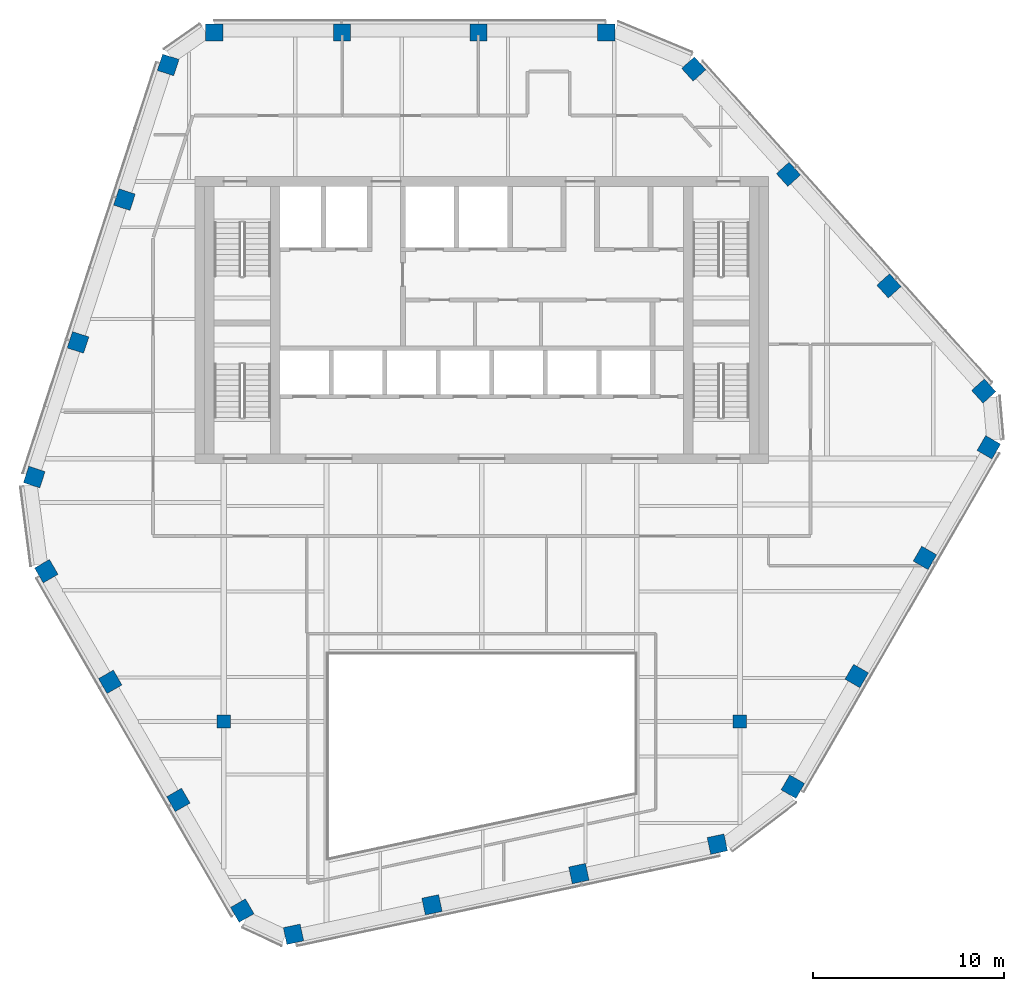
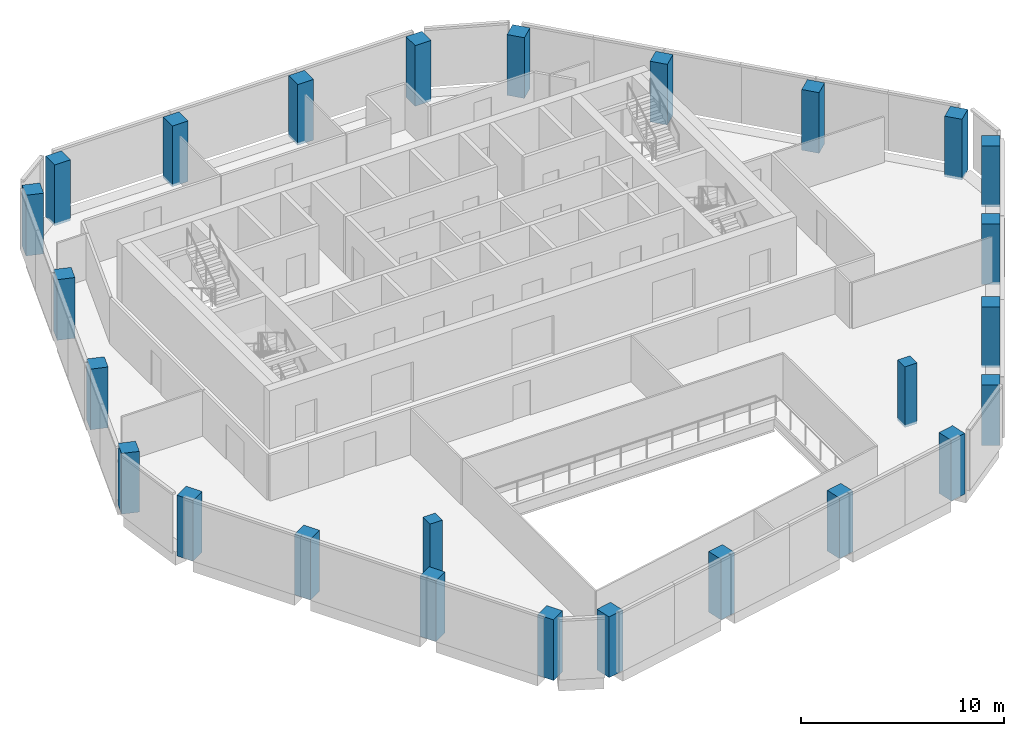
# One storey, part 1 of 15: 26 columns.
"""IFC4 building model written with IfcOpenShell, lengths in metres."""

from ifc_helpers import new_model, si_unit, direction, frame, origin, origin_2d, place, context, subcontext, project, spatial, rectangle, extrude, material, material_profile, profile_set, type_object, element, save


model = new_model("IFC4")

# Units and contexts
model_context = context("Model", 3, precision=1e-05, world=origin(), true_north=direction((0.0, 1.0)))
body_context = subcontext(model_context, "Body", "Model", "MODEL_VIEW")
ifc_project = project(units=[si_unit("LENGTHUNIT", "METRE"), si_unit("AREAUNIT", "SQUARE_METRE"), si_unit("VOLUMEUNIT", "CUBIC_METRE"), si_unit("PLANEANGLEUNIT", "RADIAN"), si_unit("MASSUNIT", "GRAM", prefix="KILO")], contexts=[model_context])

# Site, building, storey
site_placement = place(None, origin())
site = spatial("IfcSite", under=ifc_project, at=site_placement, CompositionType="ELEMENT")
building_placement = place(site_placement, origin())
building = spatial("IfcBuilding", under=site, at=building_placement, Name="Isthmus Gate Tower", CompositionType="ELEMENT")
storey_placement = place(building_placement, frame((0.0, 0.0, 275.550048828125)))
storey = spatial("IfcBuildingStorey", under=building, at=storey_placement, Name="L70", CompositionType="ELEMENT", Elevation=275.550048828125)

# Columns
ifc_material_1 = material(Name="Concrete f'c 50 MPa", Category="concrete")
ifc_material_profile_1 = material_profile(ifc_material_1, rectangle(XDim=0.699951171875, YDim=0.699951171875, at=origin_2d()), Name="RC 700X700")
ifc_profile_set_1 = profile_set([ifc_material_profile_1], Name="Concrete f'c 50 MPa")
column_type_1 = type_object("IfcColumnType", Name="RC INTERIOR COLUMN 700 X 700", PredefinedType="COLUMN", material=ifc_profile_set_1)
for number, where, z_axis, x_axis, name in (
    (1, (-13.5, -13.5, -0.150146484375), (0.0, 0.0, 1.0), (1.0, 0.0, 0.0), "str-icol-L70-ICB2"),
    (2, (13.5, -13.5, -0.150146484375), (0.0, 0.0, 1.0), (1.0, 0.0, 0.0), "str-icol-L70-ICD2"),
):
    element("IfcColumn", number, at=place(storey_placement, frame(where, z_axis=z_axis, x_axis=x_axis)), inside=storey, type_object=column_type_1, Name=name, PredefinedType="COLUMN", context=body_context, shape_type="SweptSolid", body=[
        extrude(rectangle(XDim=0.699951171875, YDim=0.699951171875, at=origin_2d()), origin(), (0.0, 0.0, 1.0), 3.650146484375),
    ])
ifc_material_2 = material(Name="Concrete f'c 50 MPa", Category="concrete")
ifc_material_profile_2 = material_profile(ifc_material_2, rectangle(XDim=0.89990234375, YDim=0.89990234375, at=origin_2d()), Name="RC 900X900")
ifc_profile_set_2 = profile_set([ifc_material_profile_2], Name="Concrete f'c 50 MPa")
column_type_2 = type_object("IfcColumnType", Name="RC TUBE COLUMN 900 X 900", PredefinedType="COLUMN", material=ifc_profile_set_2)
for number, where, z_axis, x_axis, name in (
    (3, (6.509521484375, 22.550048828125, -0.150146484375), (0.0, 0.0, 1.0), (-1.0, 0.0, 0.0), "str-tcol-L70-T4N0"),
    (4, (-0.175048828125, 22.550048828125, -0.150146484375), (0.0, 0.0, 1.0), (-1.0, 0.0, 0.0), "str-tcol-L70-T4N1"),
    (5, (-7.3095703125, 22.550048828125, -0.150146484375), (0.0, 0.0, 1.0), (-1.0, 0.0, 0.0), "str-tcol-L70-T4N2"),
    (6, (-13.994140625, 22.550048828125, -0.150146484375), (0.0, 0.0, 1.0), (-1.0, 0.0, 0.0), "str-tcol-L70-T4N3"),
    (7, (-16.408203125, 20.847900390625, -0.150146484375), (0.0, 0.0, 1.0), (-0.309016994375, -0.951056516295, 0.0), "str-tcol-L70-T4NW0"),
    (8, (-18.697021484375, 13.8037109375, -0.150146484375), (0.0, 0.0, 1.0), (-0.309016994375, -0.951056516295, 0.0), "str-tcol-L70-T4NW1"),
    (9, (-21.124755859375, 6.331298828125, -0.150146484375), (0.0, 0.0, 1.0), (-0.309016994375, -0.951056516295, 0.0), "str-tcol-L70-T4NW2"),
    (10, (-23.41357421875, -0.712890625, -0.150146484375), (0.0, 0.0, 1.0), (-0.309016994375, -0.951056516295, 0.0), "str-tcol-L70-T4NW3"),
    (11, (-22.78369140625, -5.6376953125, -0.150146484375), (0.0, 0.0, 1.0), (0.5, -0.866025403784, 0.0), "str-tcol-L70-T4SW0"),
    (12, (-19.44140625, -11.426513671875, -0.150146484375), (0.0, 0.0, 1.0), (0.5, -0.866025403784, 0.0), "str-tcol-L70-T4SW1"),
    (13, (-15.8740234375, -17.605224609375, -0.150146484375), (0.0, 0.0, 1.0), (0.5, -0.866025403784, 0.0), "str-tcol-L70-T4SW2"),
    (14, (-12.53173828125, -23.394287109375, -0.150146484375), (0.0, 0.0, 1.0), (0.5, -0.866025403784, 0.0), "str-tcol-L70-T4SW3"),
    (15, (-9.850830078125, -24.6337890625, -0.150146484375), (0.0, 0.0, 1.0), (0.978147600734, 0.207911690818, 0.0), "str-tcol-L70-T4S0"),
    (16, (-2.605712890625, -23.09375, -0.150146484375), (0.0, 0.0, 1.0), (0.978147600734, 0.207911690818, 0.0), "str-tcol-L70-T4S1"),
    (17, (5.079345703125, -21.460205078125, -0.150146484375), (0.0, 0.0, 1.0), (0.978147600734, 0.207911690818, 0.0), "str-tcol-L70-T4S2"),
    (18, (12.32421875, -19.92041015625, -0.150146484375), (0.0, 0.0, 1.0), (0.978147600734, 0.207911690818, 0.0), "str-tcol-L70-T4S3"),
    (19, (16.274169921875, -16.912353515625, -0.150146484375), (0.0, 0.0, 1.0), (0.5, 0.866025403784, 0.0), "str-tcol-L70-T4SE0"),
    (20, (19.616455078125, -11.123291015625, -0.150146484375), (0.0, 0.0, 1.0), (0.5, 0.866025403784, 0.0), "str-tcol-L70-T4SE1"),
    (21, (23.18359375, -4.944580078125, -0.150146484375), (0.0, 0.0, 1.0), (0.5, 0.866025403784, 0.0), "str-tcol-L70-T4SE2"),
    (22, (26.52587890625, 0.84423828125, -0.150146484375), (0.0, 0.0, 1.0), (0.5, 0.866025403784, 0.0), "str-tcol-L70-T4SE3"),
    (23, (26.2587890625, 3.785888671875, -0.150146484375), (0.0, 0.0, 1.0), (-0.669130606359, 0.743144825477, 0.0), "str-tcol-L70-T4NE0"),
    (24, (21.302734375, 9.290283203125, -0.150146484375), (0.0, 0.0, 1.0), (-0.669130606359, 0.743144825477, 0.0), "str-tcol-L70-T4NE1"),
    (25, (16.04541015625, 15.12890625, -0.150146484375), (0.0, 0.0, 1.0), (-0.669130606359, 0.743144825477, 0.0), "str-tcol-L70-T4NE2"),
    (26, (11.08935546875, 20.63330078125, -0.150146484375), (0.0, 0.0, 1.0), (-0.669130606359, 0.743144825477, 0.0), "str-tcol-L70-T4NE3"),
):
    element("IfcColumn", number, at=place(storey_placement, frame(where, z_axis=z_axis, x_axis=x_axis)), inside=storey, type_object=column_type_2, Name=name, PredefinedType="COLUMN", context=body_context, shape_type="SweptSolid", body=[
        extrude(rectangle(XDim=0.89990234375, YDim=0.89990234375, at=origin_2d()), origin(), (0.0, 0.0, 1.0), 3.650146484375),
    ])

save(model, "model.ifc")
